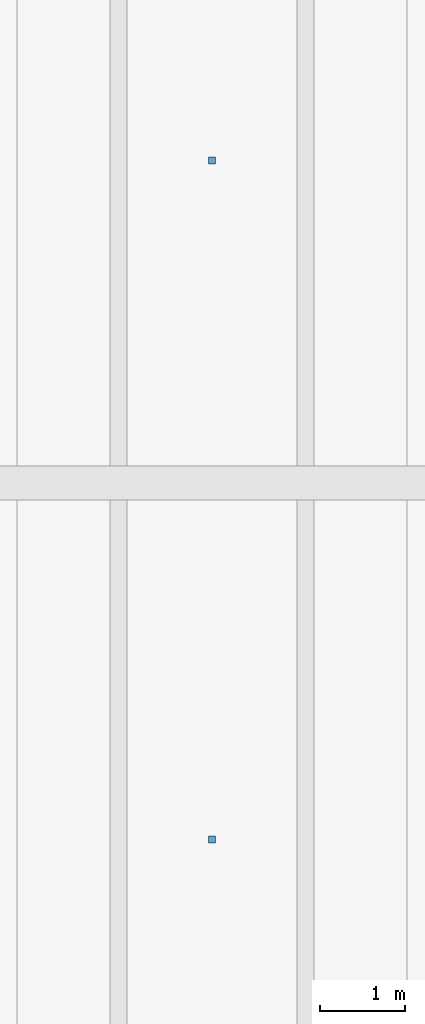
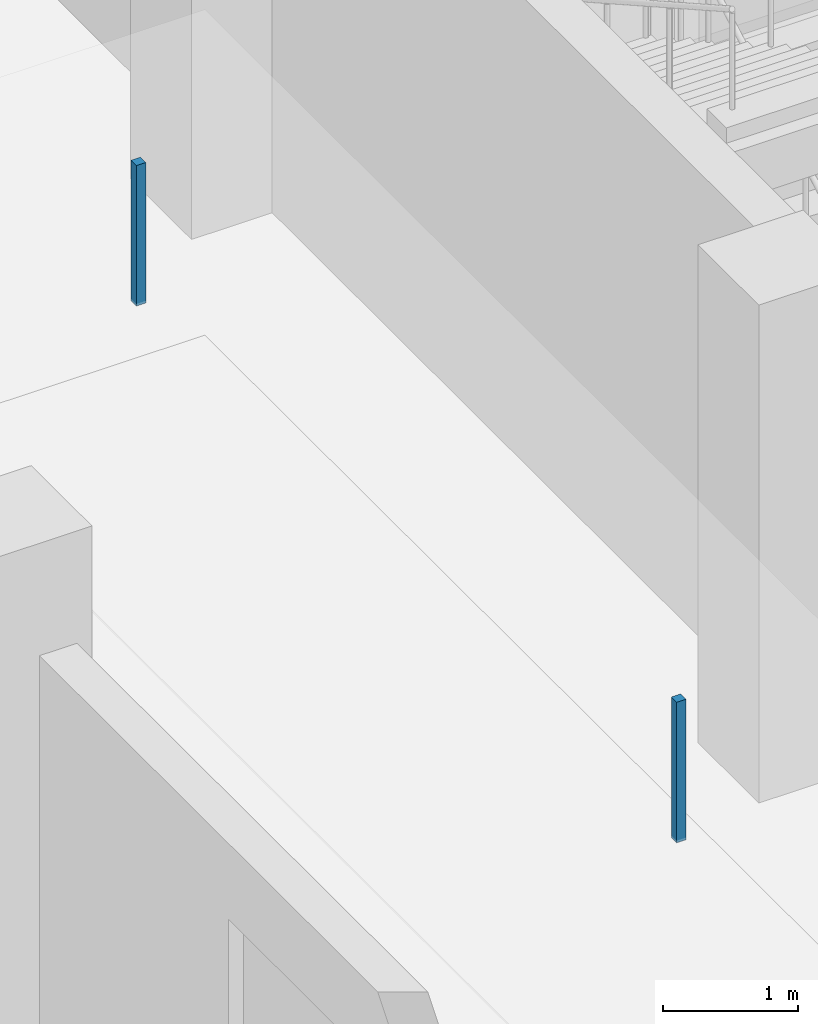
# One storey, part 61 of 83: 2 discrete accessories.
"""IFC4 building model written with IfcOpenShell, lengths in metres."""

from ifc_helpers import new_model, si_unit, direction, frame, origin, origin_2d, place, context, subcontext, project, spatial, rectangle, extrude, material, layer, layer_set, type_object, element, save


model = new_model("IFC4")

# Units and contexts
model_context = context("Model", 3, precision=1e-05, world=origin(), true_north=direction((0.0, 1.0)))
body_context = subcontext(model_context, "Body", "Model", "MODEL_VIEW")
ifc_project = project(units=[si_unit("LENGTHUNIT", "METRE"), si_unit("AREAUNIT", "SQUARE_METRE"), si_unit("VOLUMEUNIT", "CUBIC_METRE"), si_unit("PLANEANGLEUNIT", "RADIAN"), si_unit("MASSUNIT", "GRAM", prefix="KILO")], contexts=[model_context])

# Site, building, storey
site_placement = place(None, origin())
site = spatial("IfcSite", under=ifc_project, at=site_placement, CompositionType="ELEMENT")
building_placement = place(site_placement, origin())
building = spatial("IfcBuilding", under=site, at=building_placement, Name="Qaldarim Faculty of Natural and Applied Sciences", CompositionType="ELEMENT")
storey_placement = place(building_placement, frame((0.0, 0.0, 5.39990234375)))
storey = spatial("IfcBuildingStorey", under=building, at=storey_placement, Name="L01", CompositionType="ELEMENT", Elevation=5.39990234375)

# Discrete accessories
ifc_material = material(Name="Architectural stainless steel 316", Category="steel")
ifc_layer = layer(ifc_material, 0.080078125)
ifc_layer_set = layer_set([ifc_layer], Name="Architectural stainless steel 316")
discrete_accessory_type = type_object("IfcDiscreteAccessoryType", Name="FacadeBracket-SS120", PredefinedType="BRACKET", material=ifc_layer_set)
for number, where, z_axis, x_axis, name in (
    (1, (161.699951171875, 21.0, 2.9501953125), (0.0, 0.0, 1.0), (1.0, 0.0, 0.0), "Ceiling suspension hanger L01 1"),
    (2, (161.699951171875, 29.0, 2.9501953125), (0.0, 0.0, 1.0), (1.0, 0.0, 0.0), "Ceiling suspension hanger L01 2"),
):
    element("IfcDiscreteAccessory", number, at=place(storey_placement, frame(where, z_axis=z_axis, x_axis=x_axis)), inside=storey, type_object=discrete_accessory_type, Name=name, PredefinedType="BRACKET", context=body_context, shape_type="SweptSolid", body=[
        extrude(rectangle(XDim=0.080078125, YDim=0.080078125, at=origin_2d()), origin(), (0.0, 0.0, 1.0), 1.27001953125),
    ])

save(model, "model.ifc")
